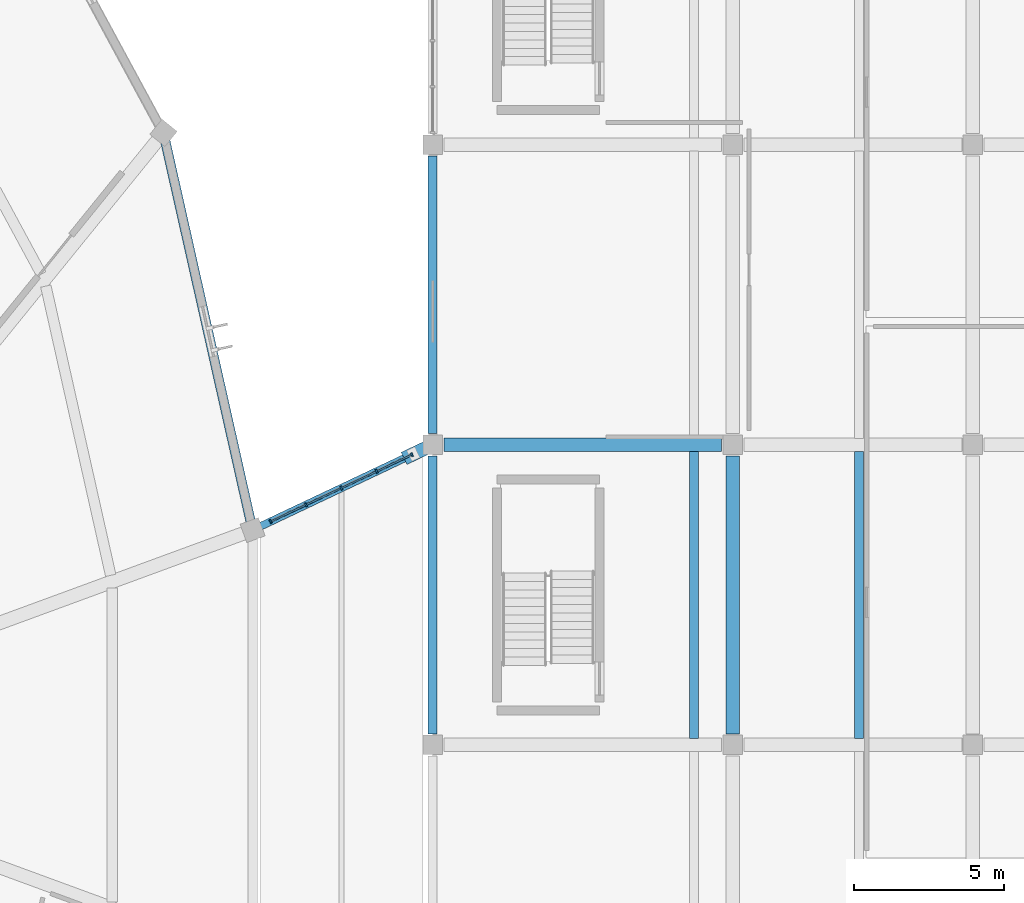
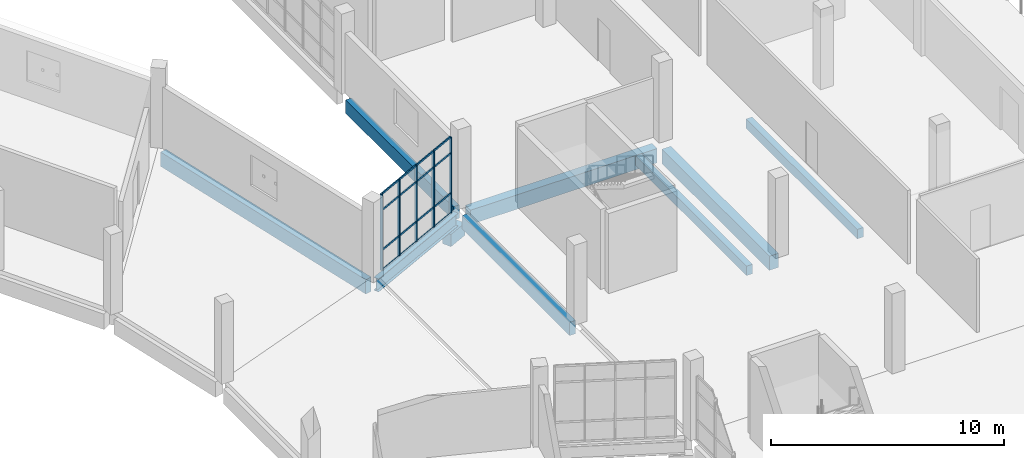
# One storey, part 65 of 142: 21 members, 9 beams, 1 element without a shape of its own.
"""IFC4 building model written with IfcOpenShell, lengths in metres."""

from ifc_helpers import new_model, si_unit, direction, frame, origin, origin_2d, place, context, subcontext, project, spatial, rectangle, i_section, extrude, material, layer, layer_set, material_profile, profile_set, type_object, element, aggregate, save


model = new_model("IFC4")

# Units and contexts
model_context = context("Model", 3, precision=1e-05, world=origin(), true_north=direction((0.0, 1.0)))
body_context = subcontext(model_context, "Body", "Model", "MODEL_VIEW")
ifc_project = project(units=[si_unit("LENGTHUNIT", "METRE"), si_unit("AREAUNIT", "SQUARE_METRE"), si_unit("VOLUMEUNIT", "CUBIC_METRE"), si_unit("PLANEANGLEUNIT", "RADIAN"), si_unit("MASSUNIT", "GRAM", prefix="KILO")], contexts=[model_context])

# Site, building, storey
site_placement = place(None, origin())
site = spatial("IfcSite", under=ifc_project, at=site_placement, CompositionType="ELEMENT")
building_placement = place(site_placement, origin())
building = spatial("IfcBuilding", under=site, at=building_placement, Name="Corvandel Quay Wholesale Market", CompositionType="ELEMENT")
storey_placement = place(building_placement, frame((0.0, 0.0, 10.800048828125)))
storey = spatial("IfcBuildingStorey", under=building, at=storey_placement, Name="L02", CompositionType="ELEMENT", Elevation=10.800048828125)

# Beam
ifc_material_1 = material(Name="Steel A992 Grade 50", Category="steel")
ifc_material_profile_1 = material_profile(ifc_material_1, i_section(OverallWidth=0.25390625, OverallDepth=0.68310546875, WebThickness=0.012451171875, FlangeThickness=0.018798828125, at=origin_2d()), Name="W27X94")
ifc_profile_set_1 = profile_set([ifc_material_profile_1], Name="Steel A992 Grade 50")
beam_type_1 = type_object("IfcBeamType", Name="Bridge Link Steel Girder SG01 W27X94", PredefinedType="USERDEFINED", material=ifc_profile_set_1)
beam_1_placement = place(storey_placement, frame((214.239501953125, 67.2744140625, -0.5615234375), z_axis=(0.903920621158, 0.427700257943, 0.0), x_axis=(-0.427700257943, 0.903920621158, 0.0)))
element("IfcBeam", 1, at=beam_1_placement, inside=storey, type_object=beam_type_1, Name="Beam BM-1814", ObjectType="GIRDER", PredefinedType="USERDEFINED", context=body_context, shape_type="SweptSolid", body=[
    extrude(i_section(OverallWidth=0.25390625, OverallDepth=0.68310546875, WebThickness=0.012451171875, FlangeThickness=0.018798828125, at=origin_2d()), origin(), (0.0, 0.0, 1.0), 6.0078125),
])

# Curtain wall, members
ifc_material_2 = material(Name="Bronze anodised aluminium and low-E insulated glazing", Category="aluminium")
ifc_layer = layer(ifc_material_2, 0.162109375)
ifc_layer_set = layer_set([ifc_layer], Name="Bronze anodised aluminium and low-E insulated glazing")
curtain_wall_type = type_object("IfcCurtainWallType", Name="Stick Curtain Wall System CW26 H5340", PredefinedType="NOTDEFINED", material=ifc_layer_set)
curtain_wall_placement = place(storey_placement, origin())
curtain_wall = element("IfcCurtainWall", 2, at=curtain_wall_placement, inside=storey, type_object=curtain_wall_type, Name="Curtain Wall CW-0183", PredefinedType="NOTDEFINED")
ifc_material_3 = material(Name="Anodised aluminium 6063-T6", Category="aluminium")
ifc_material_profile_2 = material_profile(ifc_material_3, rectangle(XDim=0.06005859375, YDim=0.1298828125, at=origin_2d()), Name="ALU-MUL-60x130")
ifc_profile_set_2 = profile_set([ifc_material_profile_2], Name="Anodised aluminium 6063-T6")
member_type_1 = type_object("IfcMemberType", Name="Clerestory Mullion ML03 60x130", PredefinedType="MULLION", material=ifc_profile_set_2)
member_1_placement = place(storey_placement, frame((214.60107421875, 67.4453125, -0.030029296875), z_axis=(0.0, 0.0, 1.0), x_axis=(0.903933318548, 0.427673421689, 0.0)))
member_1 = element("IfcMember", 3, at=member_1_placement, type_object=member_type_1, Name="Mullion CW-0183-M00", PredefinedType="MULLION", context=body_context, shape_type="SweptSolid", body=[
    extrude(rectangle(XDim=0.06005859375, YDim=0.1298828125, at=origin_2d()), origin(), (0.0, 0.0, 1.0), 4.0),
])
member_2_placement = place(storey_placement, frame((215.778076171875, 68.002197265625, -0.030029296875), z_axis=(0.0, 0.0, 1.0), x_axis=(0.903933318548, 0.427673421689, 0.0)))
member_2 = element("IfcMember", 4, at=member_2_placement, type_object=member_type_1, Name="Mullion CW-0183-M01", PredefinedType="MULLION", context=body_context, shape_type="SweptSolid", body=[
    extrude(rectangle(XDim=0.06005859375, YDim=0.1298828125, at=origin_2d()), origin(), (0.0, 0.0, 1.0), 4.0),
])
member_3_placement = place(storey_placement, frame((216.954833984375, 68.55908203125, -0.030029296875), z_axis=(0.0, 0.0, 1.0), x_axis=(0.903933318548, 0.427673421689, 0.0)))
member_3 = element("IfcMember", 5, at=member_3_placement, type_object=member_type_1, Name="Mullion CW-0183-M02", PredefinedType="MULLION", context=body_context, shape_type="SweptSolid", body=[
    extrude(rectangle(XDim=0.06005859375, YDim=0.1298828125, at=origin_2d()), origin(), (0.0, 0.0, 1.0), 4.0),
])
member_4_placement = place(storey_placement, frame((218.131591796875, 69.115966796875, -0.030029296875), z_axis=(0.0, 0.0, 1.0), x_axis=(0.903933318548, 0.427673421689, 0.0)))
member_4 = element("IfcMember", 6, at=member_4_placement, type_object=member_type_1, Name="Mullion CW-0183-M03", PredefinedType="MULLION", context=body_context, shape_type="SweptSolid", body=[
    extrude(rectangle(XDim=0.06005859375, YDim=0.1298828125, at=origin_2d()), origin(), (0.0, 0.0, 1.0), 4.0),
])
member_5_placement = place(storey_placement, frame((219.30859375, 69.6728515625, -0.030029296875), z_axis=(0.0, 0.0, 1.0), x_axis=(0.903933318548, 0.427673421689, 0.0)))
member_5 = element("IfcMember", 7, at=member_5_placement, type_object=member_type_1, Name="Mullion CW-0183-M04", PredefinedType="MULLION", context=body_context, shape_type="SweptSolid", body=[
    extrude(rectangle(XDim=0.06005859375, YDim=0.1298828125, at=origin_2d()), origin(), (0.0, 0.0, 1.0), 4.0),
])
ifc_material_profile_3 = material_profile(ifc_material_3, rectangle(XDim=0.054931640625, YDim=0.094970703125, at=origin_2d()), Name="ALU-TRN-55x95")
ifc_profile_set_3 = profile_set([ifc_material_profile_3], Name="Anodised aluminium 6063-T6")
member_type_2 = type_object("IfcMemberType", Name="Clerestory Transom TR03 55x95", PredefinedType="USERDEFINED", material=ifc_profile_set_3)
member_6_placement = place(storey_placement, frame((214.628173828125, 67.458251953125, -0.030029296875), z_axis=(0.903889889264, 0.427765202053, 0.0), x_axis=(-0.427765202053, 0.903889889264, 0.0)))
member_6 = element("IfcMember", 8, at=member_6_placement, type_object=member_type_2, Name="Transom CW-0183-T00-0", ObjectType="TRANSOM", PredefinedType="USERDEFINED", context=body_context, shape_type="SweptSolid", body=[
    extrude(rectangle(XDim=0.054931640625, YDim=0.094970703125, at=origin_2d()), origin(), (0.0, 0.0, 1.0), 1.241943359375),
])
member_7_placement = place(storey_placement, frame((214.628173828125, 67.458251953125, 1.02001953125), z_axis=(0.903889889264, 0.427765202053, 0.0), x_axis=(-0.427765202053, 0.903889889264, 0.0)))
member_7 = element("IfcMember", 9, at=member_7_placement, type_object=member_type_2, Name="Transom CW-0183-T00-1", ObjectType="TRANSOM", PredefinedType="USERDEFINED", context=body_context, shape_type="SweptSolid", body=[
    extrude(rectangle(XDim=0.054931640625, YDim=0.094970703125, at=origin_2d()), origin(), (0.0, 0.0, 1.0), 1.241943359375),
])
member_8_placement = place(storey_placement, frame((214.628173828125, 67.458251953125, 3.119873046875), z_axis=(0.903889889264, 0.427765202053, 0.0), x_axis=(-0.427765202053, 0.903889889264, 0.0)))
member_8 = element("IfcMember", 10, at=member_8_placement, type_object=member_type_2, Name="Transom CW-0183-T00-2", ObjectType="TRANSOM", PredefinedType="USERDEFINED", context=body_context, shape_type="SweptSolid", body=[
    extrude(rectangle(XDim=0.054931640625, YDim=0.094970703125, at=origin_2d()), origin(), (0.0, 0.0, 1.0), 1.241943359375),
])
member_9_placement = place(storey_placement, frame((214.628173828125, 67.458251953125, 3.969970703125), z_axis=(0.903889889264, 0.427765202053, 0.0), x_axis=(-0.427765202053, 0.903889889264, 0.0)))
member_9 = element("IfcMember", 11, at=member_9_placement, type_object=member_type_2, Name="Transom CW-0183-T00-3", ObjectType="TRANSOM", PredefinedType="USERDEFINED", context=body_context, shape_type="SweptSolid", body=[
    extrude(rectangle(XDim=0.054931640625, YDim=0.094970703125, at=origin_2d()), origin(), (0.0, 0.0, 1.0), 1.241943359375),
])
member_10_placement = place(storey_placement, frame((215.80517578125, 68.01513671875, -0.030029296875), z_axis=(0.903889889264, 0.427765202053, 0.0), x_axis=(-0.427765202053, 0.903889889264, 0.0)))
member_10 = element("IfcMember", 12, at=member_10_placement, type_object=member_type_2, Name="Transom CW-0183-T01-0", ObjectType="TRANSOM", PredefinedType="USERDEFINED", context=body_context, shape_type="SweptSolid", body=[
    extrude(rectangle(XDim=0.054931640625, YDim=0.094970703125, at=origin_2d()), origin(), (0.0, 0.0, 1.0), 1.241943359375),
])
member_11_placement = place(storey_placement, frame((215.80517578125, 68.01513671875, 1.02001953125), z_axis=(0.903889889264, 0.427765202053, 0.0), x_axis=(-0.427765202053, 0.903889889264, 0.0)))
member_11 = element("IfcMember", 13, at=member_11_placement, type_object=member_type_2, Name="Transom CW-0183-T01-1", ObjectType="TRANSOM", PredefinedType="USERDEFINED", context=body_context, shape_type="SweptSolid", body=[
    extrude(rectangle(XDim=0.054931640625, YDim=0.094970703125, at=origin_2d()), origin(), (0.0, 0.0, 1.0), 1.241943359375),
])
member_12_placement = place(storey_placement, frame((215.80517578125, 68.01513671875, 3.119873046875), z_axis=(0.903889889264, 0.427765202053, 0.0), x_axis=(-0.427765202053, 0.903889889264, 0.0)))
member_12 = element("IfcMember", 14, at=member_12_placement, type_object=member_type_2, Name="Transom CW-0183-T01-2", ObjectType="TRANSOM", PredefinedType="USERDEFINED", context=body_context, shape_type="SweptSolid", body=[
    extrude(rectangle(XDim=0.054931640625, YDim=0.094970703125, at=origin_2d()), origin(), (0.0, 0.0, 1.0), 1.241943359375),
])
member_13_placement = place(storey_placement, frame((215.80517578125, 68.01513671875, 3.969970703125), z_axis=(0.903889889264, 0.427765202053, 0.0), x_axis=(-0.427765202053, 0.903889889264, 0.0)))
member_13 = element("IfcMember", 15, at=member_13_placement, type_object=member_type_2, Name="Transom CW-0183-T01-3", ObjectType="TRANSOM", PredefinedType="USERDEFINED", context=body_context, shape_type="SweptSolid", body=[
    extrude(rectangle(XDim=0.054931640625, YDim=0.094970703125, at=origin_2d()), origin(), (0.0, 0.0, 1.0), 1.241943359375),
])
member_14_placement = place(storey_placement, frame((216.98193359375, 68.572021484375, -0.030029296875), z_axis=(0.903965890824, 0.427604569931, 0.0), x_axis=(-0.427604569931, 0.903965890824, 0.0)))
member_14 = element("IfcMember", 16, at=member_14_placement, type_object=member_type_2, Name="Transom CW-0183-T02-0", ObjectType="TRANSOM", PredefinedType="USERDEFINED", context=body_context, shape_type="SweptSolid", body=[
    extrude(rectangle(XDim=0.054931640625, YDim=0.094970703125, at=origin_2d()), origin(), (0.0, 0.0, 1.0), 1.24169921875),
])
member_15_placement = place(storey_placement, frame((216.98193359375, 68.572021484375, 1.02001953125), z_axis=(0.903965890824, 0.427604569931, 0.0), x_axis=(-0.427604569931, 0.903965890824, 0.0)))
member_15 = element("IfcMember", 17, at=member_15_placement, type_object=member_type_2, Name="Transom CW-0183-T02-1", ObjectType="TRANSOM", PredefinedType="USERDEFINED", context=body_context, shape_type="SweptSolid", body=[
    extrude(rectangle(XDim=0.054931640625, YDim=0.094970703125, at=origin_2d()), origin(), (0.0, 0.0, 1.0), 1.24169921875),
])
member_16_placement = place(storey_placement, frame((216.98193359375, 68.572021484375, 3.119873046875), z_axis=(0.903965890824, 0.427604569931, 0.0), x_axis=(-0.427604569931, 0.903965890824, 0.0)))
member_16 = element("IfcMember", 18, at=member_16_placement, type_object=member_type_2, Name="Transom CW-0183-T02-2", ObjectType="TRANSOM", PredefinedType="USERDEFINED", context=body_context, shape_type="SweptSolid", body=[
    extrude(rectangle(XDim=0.054931640625, YDim=0.094970703125, at=origin_2d()), origin(), (0.0, 0.0, 1.0), 1.24169921875),
])
member_17_placement = place(storey_placement, frame((216.98193359375, 68.572021484375, 3.969970703125), z_axis=(0.903965890824, 0.427604569931, 0.0), x_axis=(-0.427604569931, 0.903965890824, 0.0)))
member_17 = element("IfcMember", 19, at=member_17_placement, type_object=member_type_2, Name="Transom CW-0183-T02-3", ObjectType="TRANSOM", PredefinedType="USERDEFINED", context=body_context, shape_type="SweptSolid", body=[
    extrude(rectangle(XDim=0.054931640625, YDim=0.094970703125, at=origin_2d()), origin(), (0.0, 0.0, 1.0), 1.24169921875),
])
member_18_placement = place(storey_placement, frame((218.15869140625, 69.12890625, -0.030029296875), z_axis=(0.904001828666, 0.427528588247, 0.0), x_axis=(-0.427528588247, 0.904001828666, 0.0)))
member_18 = element("IfcMember", 20, at=member_18_placement, type_object=member_type_2, Name="Transom CW-0183-T03-0", ObjectType="TRANSOM", PredefinedType="USERDEFINED", context=body_context, shape_type="SweptSolid", body=[
    extrude(rectangle(XDim=0.054931640625, YDim=0.094970703125, at=origin_2d()), origin(), (0.0, 0.0, 1.0), 1.241943359375),
])
member_19_placement = place(storey_placement, frame((218.15869140625, 69.12890625, 1.02001953125), z_axis=(0.904001828666, 0.427528588247, 0.0), x_axis=(-0.427528588247, 0.904001828666, 0.0)))
member_19 = element("IfcMember", 21, at=member_19_placement, type_object=member_type_2, Name="Transom CW-0183-T03-1", ObjectType="TRANSOM", PredefinedType="USERDEFINED", context=body_context, shape_type="SweptSolid", body=[
    extrude(rectangle(XDim=0.054931640625, YDim=0.094970703125, at=origin_2d()), origin(), (0.0, 0.0, 1.0), 1.241943359375),
])
member_20_placement = place(storey_placement, frame((218.15869140625, 69.12890625, 3.119873046875), z_axis=(0.904001828666, 0.427528588247, 0.0), x_axis=(-0.427528588247, 0.904001828666, 0.0)))
member_20 = element("IfcMember", 22, at=member_20_placement, type_object=member_type_2, Name="Transom CW-0183-T03-2", ObjectType="TRANSOM", PredefinedType="USERDEFINED", context=body_context, shape_type="SweptSolid", body=[
    extrude(rectangle(XDim=0.054931640625, YDim=0.094970703125, at=origin_2d()), origin(), (0.0, 0.0, 1.0), 1.241943359375),
])
member_21_placement = place(storey_placement, frame((218.15869140625, 69.12890625, 3.969970703125), z_axis=(0.904001828666, 0.427528588247, 0.0), x_axis=(-0.427528588247, 0.904001828666, 0.0)))
member_21 = element("IfcMember", 23, at=member_21_placement, type_object=member_type_2, Name="Transom CW-0183-T03-3", ObjectType="TRANSOM", PredefinedType="USERDEFINED", context=body_context, shape_type="SweptSolid", body=[
    extrude(rectangle(XDim=0.054931640625, YDim=0.094970703125, at=origin_2d()), origin(), (0.0, 0.0, 1.0), 1.241943359375),
])
aggregate(curtain_wall, [member_1, member_2, member_3, member_4, member_5, member_6, member_7, member_8, member_9, member_10, member_11, member_12, member_13, member_14, member_15, member_16, member_17, member_18, member_19, member_20, member_21])

# Beams
ifc_material_4 = material(Name="Precast concrete C45/55", Category="concrete")
ifc_material_profile_4 = material_profile(ifc_material_4, rectangle(XDim=0.300048828125, YDim=0.5, at=origin_2d()), Name="PC-BM-300x500")
ifc_profile_set_4 = profile_set([ifc_material_profile_4], Name="Precast concrete C45/55")
beam_type_2 = type_object("IfcBeamType", Name="Office Floor Secondary Beam B04 300x500", PredefinedType="BEAM", material=ifc_profile_set_4)
for number, where, z_axis, x_axis, name in (
    (24, (228.699951171875, 60.215087890625, -0.570068359375), (0.0, 1.0, 0.0), (-1.0, 0.0, 0.0), "Beam BM-1604"),
    (25, (234.199951171875, 60.215087890625, -0.570068359375), (0.0, 1.0, 0.0), (-1.0, 0.0, 0.0), "Beam BM-1605"),
):
    element("IfcBeam", number, at=place(storey_placement, frame(where, z_axis=z_axis, x_axis=x_axis)), inside=storey, type_object=beam_type_2, Name=name, PredefinedType="BEAM", context=body_context, shape_type="SweptSolid", body=[
        extrude(rectangle(XDim=0.300048828125, YDim=0.5, at=origin_2d()), origin(), (0.0, 0.0, 1.0), 9.56982421875),
    ])
ifc_material_profile_5 = material_profile(ifc_material_4, rectangle(XDim=0.320068359375, YDim=0.75, at=origin_2d()), Name="PC-SPN-320x750")
ifc_profile_set_5 = profile_set([ifc_material_profile_5], Name="Precast concrete C45/55")
beam_type_3 = type_object("IfcBeamType", Name="Pavilion Precast Spandrel SP02 320x750", PredefinedType="SPANDREL", material=ifc_profile_set_5)
beam_2_placement = place(storey_placement, frame((213.94091796875, 67.42431640625, -0.594970703125), z_axis=(-0.218953092988, 0.975735385784, 0.0), x_axis=(-0.975735385784, -0.218953092988, 0.0)))
element("IfcBeam", 26, at=beam_2_placement, inside=storey, type_object=beam_type_3, Name="Beam BM-0773", PredefinedType="SPANDREL", context=body_context, shape_type="SweptSolid", body=[
    extrude(rectangle(XDim=0.320068359375, YDim=0.75, at=origin_2d()), origin(), (0.0, 0.0, 1.0), 13.020263671875),
])
ifc_material_profile_6 = material_profile(ifc_material_4, rectangle(XDim=0.449951171875, YDim=0.64990234375, at=origin_2d()), Name="PC-COR-680x650")
ifc_profile_set_6 = profile_set([ifc_material_profile_6], Name="Precast concrete C45/55")
beam_type_4 = type_object("IfcBeamType", Name="Seismic Joint Precast Corbel CB01 680x650", PredefinedType="BEAM", material=ifc_profile_set_6)
beam_3_placement = place(storey_placement, frame((220.0, 70.0, -1.22802734375), z_axis=(-0.903935655533, -0.427668482188, 0.0), x_axis=(0.427668482188, -0.903935655533, 0.0)))
element("IfcBeam", 27, at=beam_3_placement, inside=storey, type_object=beam_type_4, Name="Beam BM-1813", PredefinedType="BEAM", context=body_context, shape_type="SweptSolid", body=[
    extrude(rectangle(XDim=0.449951171875, YDim=0.64990234375, at=origin_2d()), origin(), (0.0, 0.0, 1.0), 1.054931640625),
])
ifc_material_profile_7 = material_profile(ifc_material_4, rectangle(XDim=0.300048828125, YDim=0.699951171875, at=origin_2d()), Name="PC-SPN-300x700")
ifc_profile_set_7 = profile_set([ifc_material_profile_7], Name="Precast concrete C45/55")
beam_type_5 = type_object("IfcBeamType", Name="Terrace Edge Spandrel SP03 300x700", PredefinedType="SPANDREL", material=ifc_profile_set_7)
for number, where, z_axis, x_axis, name in (
    (28, (220.0, 60.3701171875, -0.670166015625), (0.0, 1.0, 0.0), (-1.0, 0.0, 0.0), "Beam BM-1554"),
    (29, (220.0, 70.3701171875, -0.670166015625), (0.0, 1.0, 0.0), (-1.0, 0.0, 0.0), "Beam BM-1555"),
):
    element("IfcBeam", number, at=place(storey_placement, frame(where, z_axis=z_axis, x_axis=x_axis)), inside=storey, type_object=beam_type_5, Name=name, PredefinedType="SPANDREL", context=body_context, shape_type="SweptSolid", body=[
        extrude(rectangle(XDim=0.300048828125, YDim=0.699951171875, at=origin_2d()), origin(), (0.0, 0.0, 1.0), 9.259765625),
    ])
ifc_material_profile_8 = material_profile(ifc_material_4, rectangle(XDim=0.449951171875, YDim=0.75, at=origin_2d()), Name="PC-GIR-450x750")
ifc_profile_set_8 = profile_set([ifc_material_profile_8], Name="Precast concrete C45/55")
beam_type_6 = type_object("IfcBeamType", Name="Waterfront Office Girder G06 450x750", PredefinedType="USERDEFINED", material=ifc_profile_set_8)
for number, where, z_axis, x_axis, name in (
    (30, (220.3701171875, 70.0, -0.695068359375), (1.0, 0.0, 0.0), (0.0, 1.0, 0.0), "Beam BM-1533"),
    (31, (230.0, 60.3701171875, -0.695068359375), (0.0, 1.0, 0.0), (-1.0, 0.0, 0.0), "Beam BM-1563"),
):
    element("IfcBeam", number, at=place(storey_placement, frame(where, z_axis=z_axis, x_axis=x_axis)), inside=storey, type_object=beam_type_6, Name=name, ObjectType="GIRDER", PredefinedType="USERDEFINED", context=body_context, shape_type="SweptSolid", body=[
        extrude(rectangle(XDim=0.449951171875, YDim=0.75, at=origin_2d()), origin(), (0.0, 0.0, 1.0), 9.259765625),
    ])

save(model, "model.ifc")
